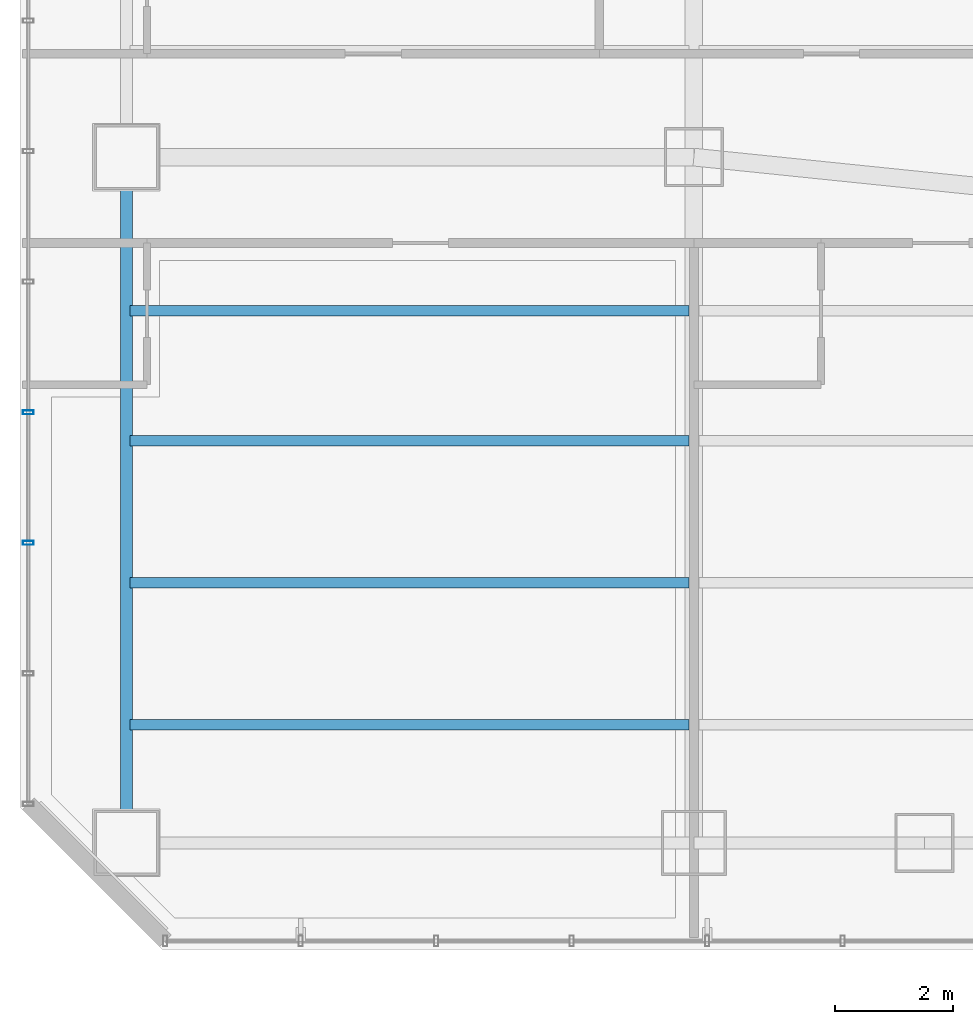
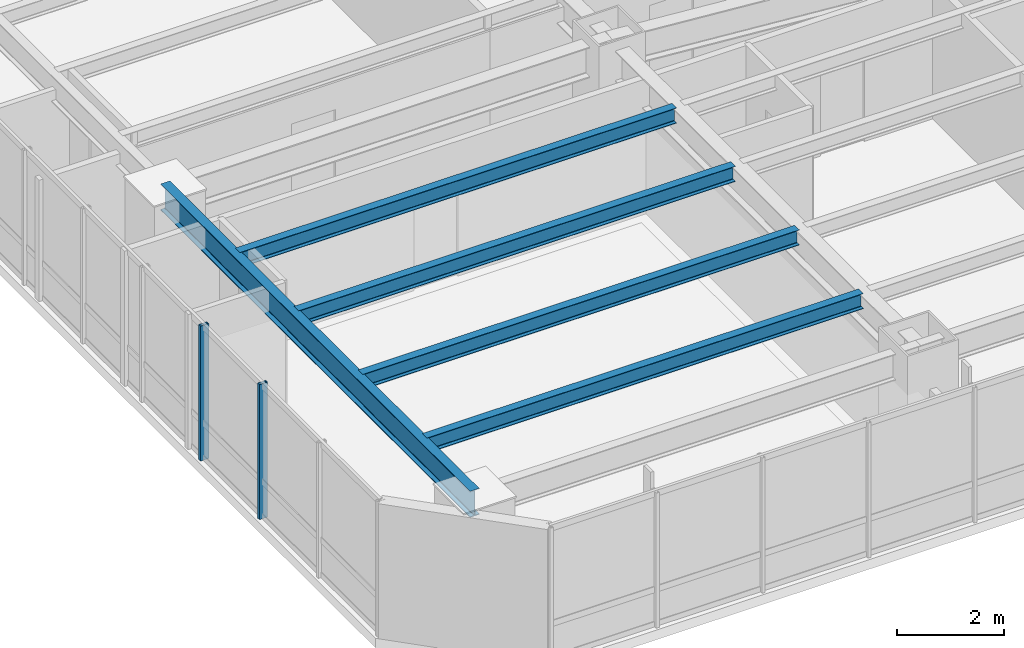
# One storey, part 5 of 39: 5 beams, 2 members, 1 element without a shape of its own.
"""IFC4 building model written with IfcOpenShell, lengths in metres."""

from ifc_helpers import new_model, si_unit, direction, frame, origin, origin_2d, place, context, subcontext, project, spatial, hollow_rectangle, i_section, extrude, material, layer, layer_set, material_profile, profile_set, type_object, element, aggregate, save


model = new_model("IFC4")

# Units and contexts
model_context = context("Model", 3, precision=1e-05, world=origin(), true_north=direction((0.0, 1.0)))
body_context = subcontext(model_context, "Body", "Model", "MODEL_VIEW")
ifc_project = project(units=[si_unit("LENGTHUNIT", "METRE"), si_unit("AREAUNIT", "SQUARE_METRE"), si_unit("VOLUMEUNIT", "CUBIC_METRE"), si_unit("PLANEANGLEUNIT", "RADIAN"), si_unit("MASSUNIT", "GRAM", prefix="KILO")], contexts=[model_context])

# Site, building, storey
site_placement = place(None, origin())
site = spatial("IfcSite", under=ifc_project, at=site_placement, CompositionType="ELEMENT")
building_placement = place(site_placement, origin())
building = spatial("IfcBuilding", under=site, at=building_placement, Name="Hatsunagi Terrace Concourse", CompositionType="ELEMENT")
storey_placement = place(building_placement, frame((0.0, 0.0, 66.75)))
storey = spatial("IfcBuildingStorey", under=building, at=storey_placement, Name="L17", CompositionType="ELEMENT", Elevation=66.75)

# Curtain wall, members
ifc_material_1 = material(Name="Anodised Aluminium Alloy 6063-T5", Category="aluminium")
ifc_layer = layer(ifc_material_1, 0.199951171875)
ifc_layer_set = layer_set([ifc_layer], Name="HotelFacade_CW02")
curtain_wall_type = type_object("IfcCurtainWallType", Name="HotelFacade_CW02", PredefinedType="NOTDEFINED", material=ifc_layer_set)
curtain_wall_placement = place(storey_placement, origin())
curtain_wall = element("IfcCurtainWall", 1, at=curtain_wall_placement, inside=storey, type_object=curtain_wall_type, Name="Unitised Curtain Wall CW-02 CW-L17-09", PredefinedType="NOTDEFINED")
ifc_material_2 = material(Name="Anodised Aluminium Alloy 6063-T5", Category="aluminium")
ifc_material_profile_1 = material_profile(ifc_material_2, hollow_rectangle(XDim=0.070068359375, YDim=0.179931640625, WallThickness=0.00390625, at=origin_2d()), Name="ALU-MUL-180x70x4")
ifc_profile_set_1 = profile_set([ifc_material_profile_1], Name="Anodised Aluminium Alloy 6063-T5")
member_type = type_object("IfcMemberType", Name="CurtainWallMullion_180x70", PredefinedType="MULLION", material=ifc_profile_set_1)
member_1_placement = place(storey_placement, frame((0.139892578125, 30.27490234375, 0.0), z_axis=(0.0, 0.0, 1.0), x_axis=(0.0, 1.0, 0.0)))
member_1 = element("IfcMember", 2, at=member_1_placement, type_object=member_type, Name="Curtain Wall Mullion MUL-02", PredefinedType="MULLION", context=body_context, shape_type="SweptSolid", body=[
    extrude(hollow_rectangle(XDim=0.070068359375, YDim=0.179931640625, WallThickness=0.00390625, at=origin_2d()), origin(), (0.0, 0.0, 1.0), 3.090087890625),
])
member_2_placement = place(storey_placement, frame((0.139892578125, 32.48291015625, 0.0), z_axis=(0.0, 0.0, 1.0), x_axis=(0.0, 1.0, 0.0)))
member_2 = element("IfcMember", 3, at=member_2_placement, type_object=member_type, Name="Curtain Wall Mullion MUL-02", PredefinedType="MULLION", context=body_context, shape_type="SweptSolid", body=[
    extrude(hollow_rectangle(XDim=0.070068359375, YDim=0.179931640625, WallThickness=0.00390625, at=origin_2d()), origin(), (0.0, 0.0, 1.0), 3.090087890625),
])
aggregate(curtain_wall, [member_1, member_2])

# Beams
ifc_material_3 = material(Name="Steel SN490B", Category="steel")
ifc_material_profile_2 = material_profile(ifc_material_3, i_section(OverallWidth=0.175048828125, OverallDepth=0.35009765625, WebThickness=0.007080078125, FlangeThickness=0.010986328125, FilletRadius=0.012939453125, at=origin_2d()), Name="H-350x175x7x11")
ifc_profile_set_2 = profile_set([ifc_material_profile_2], Name="Steel SN490B")
beam_type_1 = type_object("IfcBeamType", Name="HotelJoist_H_350x175", PredefinedType="JOIST", material=ifc_profile_set_2)
for number, where, z_axis, x_axis, name in (
    (4, (1.864990234375, 27.199951171875, 2.955078125), (1.0, 0.0, 0.0), (0.0, 1.0, 0.0), "Beam J-02 J-L17-W-1-272"),
    (5, (1.864990234375, 29.60009765625, 2.955078125), (1.0, 0.0, 0.0), (0.0, 1.0, 0.0), "Beam J-02 J-L17-W-1-296"),
    (6, (1.864990234375, 32.0, 2.955078125), (1.0, 0.0, 0.0), (0.0, 1.0, 0.0), "Beam J-02 J-L17-W-1-320"),
    (7, (1.864990234375, 34.199951171875, 2.955078125), (1.0, 0.0, 0.0), (0.0, 1.0, 0.0), "Beam J-02 J-L17-W-1-342"),
):
    element("IfcBeam", number, at=place(storey_placement, frame(where, z_axis=z_axis, x_axis=x_axis)), inside=storey, type_object=beam_type_1, Name=name, PredefinedType="JOIST", context=body_context, shape_type="SweptSolid", body=[
        extrude(i_section(OverallWidth=0.175048828125, OverallDepth=0.35009765625, WebThickness=0.007080078125, FlangeThickness=0.010986328125, FilletRadius=0.012939453125, at=origin_2d()), origin(), (0.0, 0.0, 1.0), 9.449951171875),
    ])
ifc_material_4 = material(Name="Steel SN490B", Category="steel")
ifc_material_profile_3 = material_profile(ifc_material_4, i_section(OverallWidth=0.199951171875, OverallDepth=0.60009765625, WebThickness=0.010986328125, FlangeThickness=0.01708984375, FilletRadius=0.01806640625, at=origin_2d()), Name="H-600x200x11x17")
ifc_profile_set_3 = profile_set([ifc_material_profile_3], Name="Steel SN490B")
beam_type_2 = type_object("IfcBeamType", Name="PerimeterSpandrel_H_600x200", PredefinedType="SPANDREL", material=ifc_profile_set_3)
beam_placement = place(storey_placement, frame((1.800048828125, 25.199951171875, 2.830078125), z_axis=(0.0, 1.0, 0.0), x_axis=(-1.0, 0.0, 0.0)))
element("IfcBeam", 8, at=beam_placement, inside=storey, type_object=beam_type_2, Name="Beam SP-01 BM-L17-NS-1-25", PredefinedType="SPANDREL", context=body_context, shape_type="SweptSolid", body=[
    extrude(i_section(OverallWidth=0.199951171875, OverallDepth=0.60009765625, WebThickness=0.010986328125, FlangeThickness=0.01708984375, FilletRadius=0.01806640625, at=origin_2d()), origin(), (0.0, 0.0, 1.0), 11.60009765625),
])

save(model, "model.ifc")
